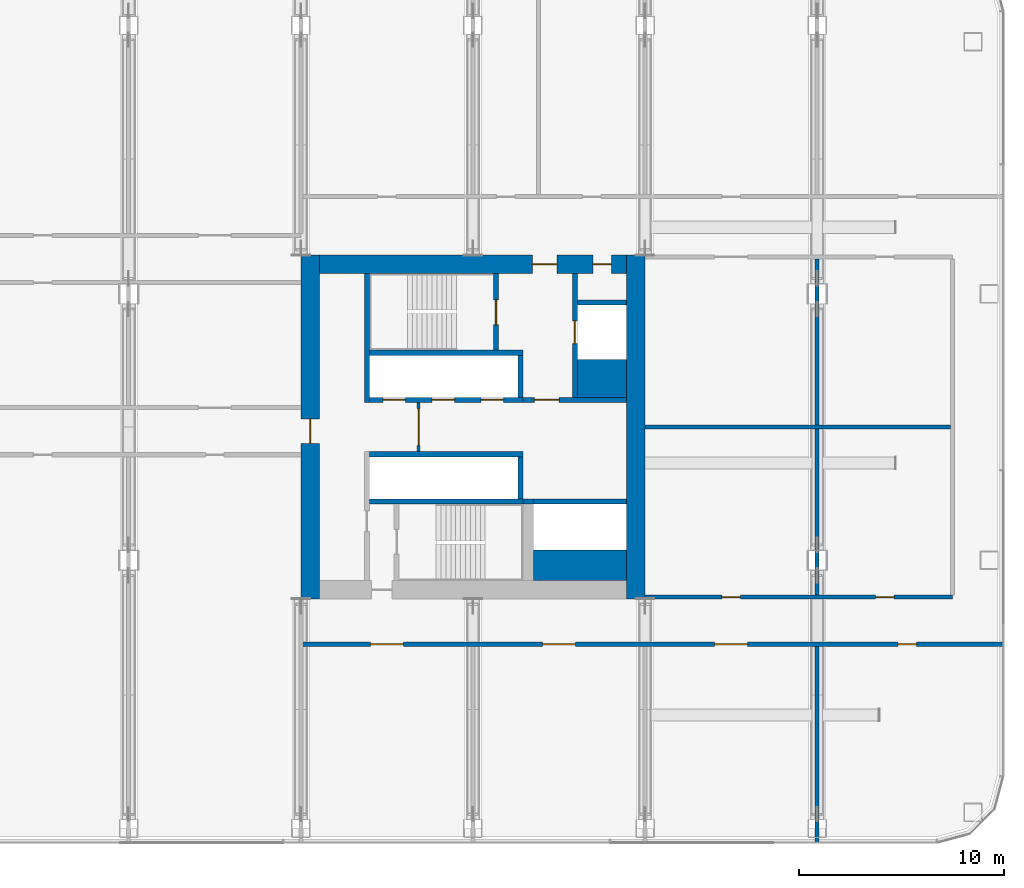
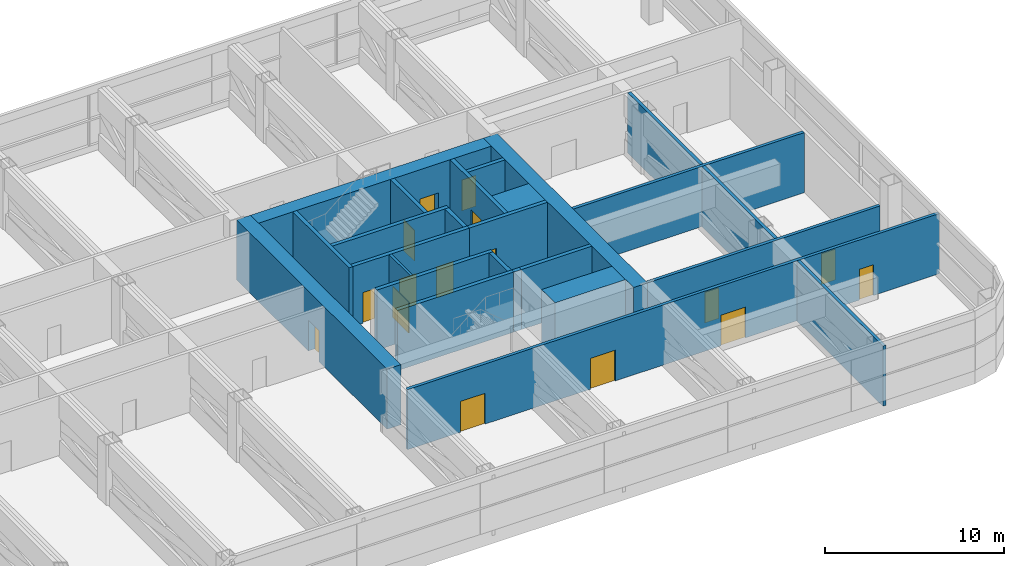
# One storey, part 19 of 30: 24 walls, 16 doors, 16 openings.
"""IFC4 building model written with IfcOpenShell, lengths in metres."""

from ifc_helpers import new_model, si_unit, direction, frame, frame_2d, origin, place, context, subcontext, project, spatial, rectangle, extrude, material, layer, layer_set, type_object, element, fill, save


model = new_model("IFC4")

# Units and contexts
model_context = context("Model", 3, precision=1e-05, world=origin(), true_north=direction((0.0, 1.0)))
body_context = subcontext(model_context, "Body", "Model", "MODEL_VIEW")
ifc_project = project(units=[si_unit("LENGTHUNIT", "METRE"), si_unit("AREAUNIT", "SQUARE_METRE"), si_unit("VOLUMEUNIT", "CUBIC_METRE"), si_unit("PLANEANGLEUNIT", "RADIAN"), si_unit("MASSUNIT", "GRAM", prefix="KILO")], contexts=[model_context])

# Site, building, storey
site_placement = place(None, origin())
site = spatial("IfcSite", under=ifc_project, at=site_placement, CompositionType="ELEMENT")
building_placement = place(site_placement, origin())
building = spatial("IfcBuilding", under=site, at=building_placement, Name="Hakoniwa Tower and Hamabe Station Hall", CompositionType="ELEMENT")
storey_placement = place(building_placement, frame((0.0, 0.0, 64.60009765625)))
storey = spatial("IfcBuildingStorey", under=building, at=storey_placement, Name="L18", CompositionType="ELEMENT", Elevation=64.60009765625)

# Wall, opening, door
ifc_material_1 = material(Name="Gypsum board partition")
ifc_layer_1 = layer(ifc_material_1, 0.14990234375)
ifc_layer_set_1 = layer_set([ifc_layer_1], Name="CORE PARTITION 150 EI 60")
wall_type_1 = type_object("IfcWallType", Name="CORE PARTITION 150 EI 60", PredefinedType="PARTITIONING", material=ifc_layer_set_1)
wall_1_placement = place(storey_placement, frame((22.550048828125, -1.199951171875, 0.0), z_axis=(0.0, 0.0, 1.0), x_axis=(0.0, 1.0, 0.0)))
wall_1 = element("IfcWall", 1, at=wall_1_placement, inside=storey, type_object=wall_type_1, Name="Core partition PL0 east", PredefinedType="PARTITIONING", context=body_context, shape_type="SweptSolid", body=[
    extrude(rectangle(XDim=2.39990234375, YDim=0.14990234375, at=frame_2d((1.199951171875, 0.0))), origin(), (0.0, 0.0, 1.0), 4.099853515625),
])
opening_1_placement = place(wall_1_placement, frame((0.300048828125, 0.0, 0.0)))
opening_1 = element("IfcOpeningElement", 2, at=opening_1_placement, cuts=wall_1, Name="Opening CD-E-LP0-18", PredefinedType="OPENING", context=body_context, shape_type="SweptSolid", body=[
    extrude(rectangle(XDim=1.800048828125, YDim=2.10009765625, at=frame_2d((0.89990234375, 1.050048828125))), frame((0.0, 0.0849609375, 0.0), z_axis=(0.0, -1.0, 0.0), x_axis=(1.0, 0.0, 0.0)), (0.0, 0.0, 1.0), 0.169921875),
])
ifc_material_2 = material(Name="Steel fire door", Category="steel")
door_type_1 = type_object("IfcDoorType", Name="CORE DOOR 1800 FD60", OperationType="DOUBLE_DOOR_SINGLE_SWING", PredefinedType="DOOR", material=ifc_material_2)
door_1_placement = place(opening_1_placement, origin())
door_1 = element("IfcDoor", 3, at=door_1_placement, inside=storey, type_object=door_type_1, Name="Lift lobby partition door", OperationType="DOUBLE_DOOR_SINGLE_SWING", OverallHeight=2.10009765625, OverallWidth=1.800048828125, PredefinedType="DOOR", context=body_context, shape_type="SweptSolid", body=[
    extrude(rectangle(XDim=1.800048828125, YDim=2.10009765625, at=frame_2d((0.89990234375, 1.050048828125))), frame((0.0, 0.02490234375, 0.0), z_axis=(0.0, -1.0, 0.0), x_axis=(1.0, 0.0, 0.0)), (0.0, 0.0, 1.0), 0.050048828125),
])
fill(opening_1, door_1)

ifc_material_3 = material(Name="Concrete C80", Category="concrete")
ifc_layer_2 = layer(ifc_material_3, 0.89990234375)
ifc_layer_set_2 = layer_set([ifc_layer_2], Name="CORE WALL 900 C80")
wall_type_2 = type_object("IfcWallType", Name="CORE WALL 900 C80", PredefinedType="SHEAR", material=ifc_layer_set_2)
wall_2_placement = place(storey_placement, frame((17.25, -8.39990234375, 0.0), z_axis=(0.0, 0.0, 1.0), x_axis=(0.0, 1.0, 0.0)))
wall_2 = element("IfcWall", 4, at=wall_2_placement, inside=storey, type_object=wall_type_2, Name="Core wall INNER east", PredefinedType="SHEAR", context=body_context, shape_type="SweptSolid", body=[
    extrude(rectangle(XDim=16.7998046875, YDim=0.89990234375, at=frame_2d((8.39990234375, 0.0))), origin(), (0.0, 0.0, 1.0), 4.099853515625),
])
opening_2_placement = place(wall_2_placement, frame((7.60009765625, 0.0, 0.0)))
opening_2 = element("IfcOpeningElement", 5, at=opening_2_placement, cuts=wall_2, Name="Opening CD-E-IN1-12", PredefinedType="OPENING", context=body_context, shape_type="SweptSolid", body=[
    extrude(rectangle(XDim=1.199951171875, YDim=2.10009765625, at=frame_2d((0.60009765625, 1.050048828125))), frame((0.0, 0.4599609375, 0.0), z_axis=(0.0, -1.0, 0.0), x_axis=(1.0, 0.0, 0.0)), (0.0, 0.0, 1.0), 0.919921875),
])
ifc_material_4 = material(Name="Steel fire door", Category="steel")
door_type_2 = type_object("IfcDoorType", Name="CORE DOOR 1200 FD60", OperationType="DOUBLE_DOOR_SINGLE_SWING", PredefinedType="DOOR", material=ifc_material_4)
door_2_placement = place(opening_2_placement, origin())
door_2 = element("IfcDoor", 6, at=door_2_placement, inside=storey, type_object=door_type_2, Name="Lift lobby door", OperationType="DOUBLE_DOOR_SINGLE_SWING", OverallHeight=2.10009765625, OverallWidth=1.199951171875, PredefinedType="DOOR", context=body_context, shape_type="SweptSolid", body=[
    extrude(rectangle(XDim=1.199951171875, YDim=2.10009765625, at=frame_2d((0.60009765625, 1.050048828125))), frame((0.0, 0.02490234375, 0.0), z_axis=(0.0, -1.0, 0.0), x_axis=(1.0, 0.0, 0.0)), (0.0, 0.0, 1.0), 0.050048828125),
])
fill(opening_2, door_2)

# Wall
wall_3_placement = place(storey_placement, frame((33.14990234375, -8.39990234375, 0.0), z_axis=(0.0, 0.0, 1.0), x_axis=(0.0, 1.0, 0.0)))
element("IfcWall", 7, at=wall_3_placement, inside=storey, type_object=wall_type_2, Name="Core wall OUTER east", PredefinedType="SHEAR", context=body_context, shape_type="SweptSolid", body=[
    extrude(rectangle(XDim=16.7998046875, YDim=0.89990234375, at=frame_2d((8.39990234375, 0.0))), origin(), (0.0, 0.0, 1.0), 4.099853515625),
])

# Wall, openings, doors
wall_4_placement = place(storey_placement, frame((17.699951171875, 7.949951171875, 0.0), z_axis=(0.0, 0.0, 1.0), x_axis=(1.0, 0.0, 0.0)))
wall_4 = element("IfcWall", 8, at=wall_4_placement, inside=storey, type_object=wall_type_2, Name="Core wall NORTH east", PredefinedType="SHEAR", context=body_context, shape_type="SweptSolid", body=[
    extrude(rectangle(XDim=15.0, YDim=0.89990234375, at=frame_2d((7.5, 0.0))), origin(), (0.0, 0.0, 1.0), 4.099853515625),
])
opening_3_placement = place(wall_4_placement, frame((10.39990234375, 0.0, 0.0)))
opening_3 = element("IfcOpeningElement", 9, at=opening_3_placement, cuts=wall_4, Name="Opening CD-E-FN1-12", PredefinedType="OPENING", context=body_context, shape_type="SweptSolid", body=[
    extrude(rectangle(XDim=1.199951171875, YDim=2.10009765625, at=frame_2d((0.60009765625, 1.050048828125))), frame((0.0, 0.4599609375, 0.0), z_axis=(0.0, -1.0, 0.0), x_axis=(1.0, 0.0, 0.0)), (0.0, 0.0, 1.0), 0.919921875),
])
opening_4_placement = place(wall_4_placement, frame((13.35009765625, 0.0, 0.0)))
opening_4 = element("IfcOpeningElement", 10, at=opening_4_placement, cuts=wall_4, Name="Opening CD-E-FN2-9", PredefinedType="OPENING", context=body_context, shape_type="SweptSolid", body=[
    extrude(rectangle(XDim=0.89990234375, YDim=2.10009765625, at=frame_2d((0.449951171875, 1.050048828125))), frame((0.0, 0.4599609375, 0.0), z_axis=(0.0, -1.0, 0.0), x_axis=(1.0, 0.0, 0.0)), (0.0, 0.0, 1.0), 0.919921875),
])
door_3_placement = place(opening_3_placement, origin())
door_3 = element("IfcDoor", 11, at=door_3_placement, inside=storey, type_object=door_type_2, Name="Stair vestibule door to the fire-fighting lobby", OperationType="DOUBLE_DOOR_SINGLE_SWING", OverallHeight=2.10009765625, OverallWidth=1.199951171875, PredefinedType="DOOR", context=body_context, shape_type="SweptSolid", body=[
    extrude(rectangle(XDim=1.199951171875, YDim=2.10009765625, at=frame_2d((0.60009765625, 1.050048828125))), frame((0.0, 0.02490234375, 0.0), z_axis=(0.0, -1.0, 0.0), x_axis=(1.0, 0.0, 0.0)), (0.0, 0.0, 1.0), 0.050048828125),
])
fill(opening_3, door_3)
ifc_material_5 = material(Name="Steel fire door", Category="steel")
door_type_3 = type_object("IfcDoorType", Name="CORE DOOR 900 FD30", OperationType="NOTDEFINED", PredefinedType="DOOR", material=ifc_material_5)
door_4_placement = place(opening_4_placement, origin())
door_4 = element("IfcDoor", 12, at=door_4_placement, inside=storey, type_object=door_type_3, Name="Riser access door", OperationType="SINGLE_SWING_LEFT", OverallHeight=2.10009765625, OverallWidth=0.89990234375, PredefinedType="DOOR", context=body_context, shape_type="SweptSolid", body=[
    extrude(rectangle(XDim=0.89990234375, YDim=2.10009765625, at=frame_2d((0.449951171875, 1.050048828125))), frame((0.0, 0.02490234375, 0.0), z_axis=(0.0, -1.0, 0.0), x_axis=(1.0, 0.0, 0.0)), (0.0, 0.0, 1.0), 0.050048828125),
])
fill(opening_4, door_4)

# Walls
ifc_material_6 = material(Name="Concrete C80", Category="concrete")
ifc_layer_3 = layer(ifc_material_6, 1.5)
ifc_layer_set_3 = layer_set([ifc_layer_3], Name="CORE WEB WALL 1500 C80")
wall_type_3 = type_object("IfcWallType", Name="CORE WEB WALL 1500 C80", PredefinedType="SHEAR", material=ifc_layer_set_3)
wall_5_placement = place(storey_placement, frame((28.14990234375, -6.75, 0.0), z_axis=(0.0, 0.0, 1.0), x_axis=(1.0, 0.0, 0.0)))
element("IfcWall", 13, at=wall_5_placement, inside=storey, type_object=wall_type_3, Name="Core wall SER east", PredefinedType="SHEAR", context=body_context, shape_type="SweptSolid", body=[
    extrude(rectangle(XDim=4.550048828125, YDim=1.5, at=frame_2d((2.27490234375, 0.0))), origin(), (0.0, 0.0, 1.0), 4.099853515625),
])
ifc_material_7 = material(Name="Concrete C80", Category="concrete")
ifc_layer_4 = layer(ifc_material_7, 1.85009765625)
ifc_layer_set_4 = layer_set([ifc_layer_4], Name="CORE WEB WALL 1850 C80")
wall_type_4 = type_object("IfcWallType", Name="CORE WEB WALL 1850 C80", PredefinedType="SHEAR", material=ifc_layer_set_4)
wall_6_placement = place(storey_placement, frame((30.300048828125, 2.375, 0.0), z_axis=(0.0, 0.0, 1.0), x_axis=(1.0, 0.0, 0.0)))
element("IfcWall", 14, at=wall_6_placement, inside=storey, type_object=wall_type_4, Name="Core wall CA east", PredefinedType="SHEAR", context=body_context, shape_type="SweptSolid", body=[
    extrude(rectangle(XDim=2.39990234375, YDim=1.85009765625, at=frame_2d((1.199951171875, 0.0))), origin(), (0.0, 0.0, 1.0), 4.099853515625),
])
ifc_material_8 = material(Name="Concrete C80", Category="concrete")
ifc_layer_5 = layer(ifc_material_8, 0.25)
ifc_layer_set_5 = layer_set([ifc_layer_5], Name="CORE WEB WALL 250 C80")
wall_type_5 = type_object("IfcWallType", Name="CORE WEB WALL 250 C80", PredefinedType="SHEAR", material=ifc_layer_set_5)
wall_7_placement = place(storey_placement, frame((20.02490234375, 1.199951171875, 0.0), z_axis=(0.0, 0.0, 1.0), x_axis=(0.0, 1.0, 0.0)))
element("IfcWall", 15, at=wall_7_placement, inside=storey, type_object=wall_type_5, Name="Core wall W1N east", PredefinedType="SHEAR", context=body_context, shape_type="SweptSolid", body=[
    extrude(rectangle(XDim=6.300048828125, YDim=0.25, at=frame_2d((3.14990234375, 0.0))), origin(), (0.0, 0.0, 1.0), 4.099853515625),
])

# Wall, openings, doors
wall_8_placement = place(storey_placement, frame((20.14990234375, 1.324951171875, 0.0), z_axis=(0.0, 0.0, 1.0), x_axis=(1.0, 0.0, 0.0)))
wall_8 = element("IfcWall", 16, at=wall_8_placement, inside=storey, type_object=wall_type_5, Name="Core wall NF east", PredefinedType="SHEAR", context=body_context, shape_type="SweptSolid", body=[
    extrude(rectangle(XDim=7.5, YDim=0.25, at=frame_2d((3.75, 0.0))), origin(), (0.0, 0.0, 1.0), 4.099853515625),
])
opening_5_placement = place(wall_8_placement, frame((0.64990234375, 0.0, 0.0)))
opening_5 = element("IfcOpeningElement", 17, at=opening_5_placement, cuts=wall_8, Name="Opening LD-LR4", PredefinedType="OPENING", context=body_context, shape_type="SweptSolid", body=[
    extrude(rectangle(XDim=1.10009765625, YDim=2.10009765625, at=frame_2d((0.550048828125, 1.050048828125))), frame((0.0, 0.135009765625, 0.0), z_axis=(0.0, -1.0, 0.0), x_axis=(1.0, 0.0, 0.0)), (0.0, 0.0, 1.0), 0.27001953125),
])
opening_6_placement = place(wall_8_placement, frame((3.050048828125, 0.0, 0.0)))
opening_6 = element("IfcOpeningElement", 18, at=opening_6_placement, cuts=wall_8, Name="Opening LD-LR5", PredefinedType="OPENING", context=body_context, shape_type="SweptSolid", body=[
    extrude(rectangle(XDim=1.10009765625, YDim=2.10009765625, at=frame_2d((0.550048828125, 1.050048828125))), frame((0.0, 0.135009765625, 0.0), z_axis=(0.0, -1.0, 0.0), x_axis=(1.0, 0.0, 0.0)), (0.0, 0.0, 1.0), 0.27001953125),
])
opening_7_placement = place(wall_8_placement, frame((5.449951171875, 0.0, 0.0)))
opening_7 = element("IfcOpeningElement", 19, at=opening_7_placement, cuts=wall_8, Name="Opening LD-LR6", PredefinedType="OPENING", context=body_context, shape_type="SweptSolid", body=[
    extrude(rectangle(XDim=1.10009765625, YDim=2.10009765625, at=frame_2d((0.550048828125, 1.050048828125))), frame((0.0, 0.135009765625, 0.0), z_axis=(0.0, -1.0, 0.0), x_axis=(1.0, 0.0, 0.0)), (0.0, 0.0, 1.0), 0.27001953125),
])
ifc_material_9 = material(Name="Stainless steel SUS304", Category="steel")
door_type_4 = type_object("IfcDoorType", Name="LIFT LANDING DOOR 1100 FD60", OperationType="DOUBLE_DOOR_SLIDING", PredefinedType="DOOR", material=ifc_material_9)
door_5_placement = place(opening_5_placement, origin())
door_5 = element("IfcDoor", 20, at=door_5_placement, inside=storey, type_object=door_type_4, Name="Lift landing door LR4 L18", OperationType="DOUBLE_DOOR_SLIDING", OverallHeight=2.10009765625, OverallWidth=1.10009765625, PredefinedType="DOOR", context=body_context, shape_type="SweptSolid", body=[
    extrude(rectangle(XDim=1.10009765625, YDim=2.10009765625, at=frame_2d((0.550048828125, 1.050048828125))), frame((0.0, 0.02490234375, 0.0), z_axis=(0.0, -1.0, 0.0), x_axis=(1.0, 0.0, 0.0)), (0.0, 0.0, 1.0), 0.050048828125),
])
fill(opening_5, door_5)
door_6_placement = place(opening_6_placement, origin())
door_6 = element("IfcDoor", 21, at=door_6_placement, inside=storey, type_object=door_type_4, Name="Lift landing door LR5 L18", OperationType="DOUBLE_DOOR_SLIDING", OverallHeight=2.10009765625, OverallWidth=1.10009765625, PredefinedType="DOOR", context=body_context, shape_type="SweptSolid", body=[
    extrude(rectangle(XDim=1.10009765625, YDim=2.10009765625, at=frame_2d((0.550048828125, 1.050048828125))), frame((0.0, 0.02490234375, 0.0), z_axis=(0.0, -1.0, 0.0), x_axis=(1.0, 0.0, 0.0)), (0.0, 0.0, 1.0), 0.050048828125),
])
fill(opening_6, door_6)
door_7_placement = place(opening_7_placement, origin())
door_7 = element("IfcDoor", 22, at=door_7_placement, inside=storey, type_object=door_type_4, Name="Lift landing door LR6 L18", OperationType="DOUBLE_DOOR_SLIDING", OverallHeight=2.10009765625, OverallWidth=1.10009765625, PredefinedType="DOOR", context=body_context, shape_type="SweptSolid", body=[
    extrude(rectangle(XDim=1.10009765625, YDim=2.10009765625, at=frame_2d((0.550048828125, 1.050048828125))), frame((0.0, 0.02490234375, 0.0), z_axis=(0.0, -1.0, 0.0), x_axis=(1.0, 0.0, 0.0)), (0.0, 0.0, 1.0), 0.050048828125),
])
fill(opening_7, door_7)

# Walls
wall_9_placement = place(storey_placement, frame((27.52490234375, 1.449951171875, 0.0), z_axis=(0.0, 0.0, 1.0), x_axis=(0.0, 1.0, 0.0)))
element("IfcWall", 23, at=wall_9_placement, inside=storey, type_object=wall_type_5, Name="Core wall NE east", PredefinedType="SHEAR", context=body_context, shape_type="SweptSolid", body=[
    extrude(rectangle(XDim=2.050048828125, YDim=0.25, at=frame_2d((1.02490234375, 0.0))), origin(), (0.0, 0.0, 1.0), 4.099853515625),
])
wall_10_placement = place(storey_placement, frame((20.14990234375, 3.625, 0.0), z_axis=(0.0, 0.0, 1.0), x_axis=(1.0, 0.0, 0.0)))
element("IfcWall", 24, at=wall_10_placement, inside=storey, type_object=wall_type_5, Name="Core wall NR east", PredefinedType="SHEAR", context=body_context, shape_type="SweptSolid", body=[
    extrude(rectangle(XDim=7.5, YDim=0.25, at=frame_2d((3.75, 0.0))), origin(), (0.0, 0.0, 1.0), 4.099853515625),
])

# Wall, opening, door
wall_11_placement = place(storey_placement, frame((26.324951171875, 3.75, 0.0), z_axis=(0.0, 0.0, 1.0), x_axis=(0.0, 1.0, 0.0)))
wall_11 = element("IfcWall", 25, at=wall_11_placement, inside=storey, type_object=wall_type_5, Name="Core wall NSE east", PredefinedType="SHEAR", context=body_context, shape_type="SweptSolid", body=[
    extrude(rectangle(XDim=3.75, YDim=0.25, at=frame_2d((1.875, 0.0))), origin(), (0.0, 0.0, 1.0), 4.099853515625),
])
opening_8_placement = place(wall_11_placement, frame((1.25, 0.0, 0.0)))
opening_8 = element("IfcOpeningElement", 26, at=opening_8_placement, cuts=wall_11, Name="Opening CD-E-SN-12", PredefinedType="OPENING", context=body_context, shape_type="SweptSolid", body=[
    extrude(rectangle(XDim=1.199951171875, YDim=2.10009765625, at=frame_2d((0.60009765625, 1.050048828125))), frame((0.0, 0.135009765625, 0.0), z_axis=(0.0, -1.0, 0.0), x_axis=(1.0, 0.0, 0.0)), (0.0, 0.0, 1.0), 0.27001953125),
])
door_8_placement = place(opening_8_placement, origin())
door_8 = element("IfcDoor", 27, at=door_8_placement, inside=storey, type_object=door_type_2, Name="Escape stair door", OperationType="DOUBLE_DOOR_SINGLE_SWING", OverallHeight=2.10009765625, OverallWidth=1.199951171875, PredefinedType="DOOR", context=body_context, shape_type="SweptSolid", body=[
    extrude(rectangle(XDim=1.199951171875, YDim=2.10009765625, at=frame_2d((0.60009765625, 1.050048828125))), frame((0.0, 0.02490234375, 0.0), z_axis=(0.0, -1.0, 0.0), x_axis=(1.0, 0.0, 0.0)), (0.0, 0.0, 1.0), 0.050048828125),
])
fill(opening_8, door_8)

wall_12_placement = place(storey_placement, frame((27.64990234375, 1.324951171875, 0.0), z_axis=(0.0, 0.0, 1.0), x_axis=(1.0, 0.0, 0.0)))
wall_12 = element("IfcWall", 28, at=wall_12_placement, inside=storey, type_object=wall_type_5, Name="Core wall ELN east", PredefinedType="SHEAR", context=body_context, shape_type="SweptSolid", body=[
    extrude(rectangle(XDim=5.050048828125, YDim=0.25, at=frame_2d((2.52490234375, 0.0))), origin(), (0.0, 0.0, 1.0), 4.099853515625),
])
opening_9_placement = place(wall_12_placement, frame((0.550048828125, 0.0, 0.0)))
opening_9 = element("IfcOpeningElement", 29, at=opening_9_placement, cuts=wall_12, Name="Opening CD-E-FL-12", PredefinedType="OPENING", context=body_context, shape_type="SweptSolid", body=[
    extrude(rectangle(XDim=1.199951171875, YDim=2.10009765625, at=frame_2d((0.60009765625, 1.050048828125))), frame((0.0, 0.135009765625, 0.0), z_axis=(0.0, -1.0, 0.0), x_axis=(1.0, 0.0, 0.0)), (0.0, 0.0, 1.0), 0.27001953125),
])
door_9_placement = place(opening_9_placement, origin())
door_9 = element("IfcDoor", 30, at=door_9_placement, inside=storey, type_object=door_type_2, Name="Stair vestibule door to the fire-fighting lobby", OperationType="DOUBLE_DOOR_SINGLE_SWING", OverallHeight=2.10009765625, OverallWidth=1.199951171875, PredefinedType="DOOR", context=body_context, shape_type="SweptSolid", body=[
    extrude(rectangle(XDim=1.199951171875, YDim=2.10009765625, at=frame_2d((0.60009765625, 1.050048828125))), frame((0.0, 0.02490234375, 0.0), z_axis=(0.0, -1.0, 0.0), x_axis=(1.0, 0.0, 0.0)), (0.0, 0.0, 1.0), 0.050048828125),
])
fill(opening_9, door_9)

wall_13_placement = place(storey_placement, frame((30.175048828125, 1.449951171875, 0.0), z_axis=(0.0, 0.0, 1.0), x_axis=(0.0, 1.0, 0.0)))
wall_13 = element("IfcWall", 31, at=wall_13_placement, inside=storey, type_object=wall_type_5, Name="Core wall FFF east", PredefinedType="SHEAR", context=body_context, shape_type="SweptSolid", body=[
    extrude(rectangle(XDim=6.050048828125, YDim=0.25, at=frame_2d((3.02490234375, 0.0))), origin(), (0.0, 0.0, 1.0), 4.099853515625),
])
opening_10_placement = place(wall_13_placement, frame((2.625, 0.0, 0.0)))
opening_10 = element("IfcOpeningElement", 32, at=opening_10_placement, cuts=wall_13, Name="Opening LD-FF2", PredefinedType="OPENING", context=body_context, shape_type="SweptSolid", body=[
    extrude(rectangle(XDim=1.10009765625, YDim=2.10009765625, at=frame_2d((0.550048828125, 1.050048828125))), frame((0.0, 0.135009765625, 0.0), z_axis=(0.0, -1.0, 0.0), x_axis=(1.0, 0.0, 0.0)), (0.0, 0.0, 1.0), 0.27001953125),
])
door_10_placement = place(opening_10_placement, origin())
door_10 = element("IfcDoor", 33, at=door_10_placement, inside=storey, type_object=door_type_4, Name="Lift landing door FF2 L18", OperationType="DOUBLE_DOOR_SLIDING", OverallHeight=2.10009765625, OverallWidth=1.10009765625, PredefinedType="DOOR", context=body_context, shape_type="SweptSolid", body=[
    extrude(rectangle(XDim=1.10009765625, YDim=2.10009765625, at=frame_2d((0.550048828125, 1.050048828125))), frame((0.0, 0.02490234375, 0.0), z_axis=(0.0, -1.0, 0.0), x_axis=(1.0, 0.0, 0.0)), (0.0, 0.0, 1.0), 0.050048828125),
])
fill(opening_10, door_10)

# Walls
wall_14_placement = place(storey_placement, frame((30.300048828125, 6.074951171875, 0.0), z_axis=(0.0, 0.0, 1.0), x_axis=(1.0, 0.0, 0.0)))
element("IfcWall", 34, at=wall_14_placement, inside=storey, type_object=wall_type_5, Name="Core wall C2 east", PredefinedType="SHEAR", context=body_context, shape_type="SweptSolid", body=[
    extrude(rectangle(XDim=2.39990234375, YDim=0.25, at=frame_2d((1.199951171875, 0.0))), origin(), (0.0, 0.0, 1.0), 4.099853515625),
])
wall_15_placement = place(storey_placement, frame((20.14990234375, -1.324951171875, 0.0), z_axis=(0.0, 0.0, 1.0), x_axis=(1.0, 0.0, 0.0)))
element("IfcWall", 35, at=wall_15_placement, inside=storey, type_object=wall_type_5, Name="Core wall SF east", PredefinedType="SHEAR", context=body_context, shape_type="SweptSolid", body=[
    extrude(rectangle(XDim=7.5, YDim=0.25, at=frame_2d((3.75, 0.0))), origin(), (0.0, 0.0, 1.0), 4.099853515625),
])
wall_16_placement = place(storey_placement, frame((27.52490234375, -3.5, 0.0), z_axis=(0.0, 0.0, 1.0), x_axis=(0.0, 1.0, 0.0)))
element("IfcWall", 36, at=wall_16_placement, inside=storey, type_object=wall_type_5, Name="Core wall SE east", PredefinedType="SHEAR", context=body_context, shape_type="SweptSolid", body=[
    extrude(rectangle(XDim=2.050048828125, YDim=0.25, at=frame_2d((1.02490234375, 0.0))), origin(), (0.0, 0.0, 1.0), 4.099853515625),
])
wall_17_placement = place(storey_placement, frame((20.14990234375, -3.625, 0.0), z_axis=(0.0, 0.0, 1.0), x_axis=(1.0, 0.0, 0.0)))
element("IfcWall", 37, at=wall_17_placement, inside=storey, type_object=wall_type_5, Name="Core wall SR east", PredefinedType="SHEAR", context=body_context, shape_type="SweptSolid", body=[
    extrude(rectangle(XDim=7.5, YDim=0.25, at=frame_2d((3.75, 0.0))), origin(), (0.0, 0.0, 1.0), 4.099853515625),
])
wall_18_placement = place(storey_placement, frame((28.14990234375, -3.625, 0.0), z_axis=(0.0, 0.0, 1.0), x_axis=(1.0, 0.0, 0.0)))
element("IfcWall", 38, at=wall_18_placement, inside=storey, type_object=wall_type_5, Name="Core wall SEF east", PredefinedType="SHEAR", context=body_context, shape_type="SweptSolid", body=[
    extrude(rectangle(XDim=4.550048828125, YDim=0.25, at=frame_2d((2.27490234375, 0.0))), origin(), (0.0, 0.0, 1.0), 4.099853515625),
])
wall_19_placement = place(storey_placement, frame((27.64990234375, -3.625, 0.0), z_axis=(0.0, 0.0, 1.0), x_axis=(1.0, 0.0, 0.0)))
element("IfcWall", 39, at=wall_19_placement, inside=storey, type_object=wall_type_5, Name="Core wall SRK east", PredefinedType="SHEAR", context=body_context, shape_type="SweptSolid", body=[
    extrude(rectangle(XDim=0.5, YDim=0.25, at=frame_2d((0.25, 0.0))), origin(), (0.0, 0.0, 1.0), 4.099853515625),
])

# Wall, openings, doors
ifc_material_10 = material(Name="Fire-rated gypsum board partition", Category="gypsum")
ifc_layer_6 = layer(ifc_material_10, 0.199951171875)
ifc_layer_set_6 = layer_set([ifc_layer_6], Name="Corridor Wall 200")
wall_type_6 = type_object("IfcWallType", Name="Corridor Wall 200", PredefinedType="PARTITIONING", material=ifc_layer_set_6)
wall_20_placement = place(storey_placement, frame((16.800048828125, -10.60009765625, 0.0), z_axis=(0.0, 0.0, 1.0), x_axis=(1.0, 0.0, 0.0)))
wall_20 = element("IfcWall", 40, at=wall_20_placement, inside=storey, type_object=wall_type_6, Name="GW-L18-002", PredefinedType="PARTITIONING", context=body_context, shape_type="SweptSolid", body=[
    extrude(rectangle(XDim=34.300048828125, YDim=0.199951171875, at=frame_2d((17.14990234375, 0.0))), origin(), (0.0, 0.0, 1.0), 4.099853515625),
])
opening_11_placement = place(wall_20_placement, frame((3.39990234375, 0.0, 0.0)))
opening_11 = element("IfcOpeningElement", 41, at=opening_11_placement, cuts=wall_20, Name="Opening GD-SL18-05", PredefinedType="OPENING", context=body_context, shape_type="SweptSolid", body=[
    extrude(rectangle(XDim=1.60009765625, YDim=2.10009765625, at=frame_2d((0.800048828125, 1.050048828125))), frame((0.0, 0.10986328125, 0.0), z_axis=(0.0, -1.0, 0.0), x_axis=(1.0, 0.0, 0.0)), (0.0, 0.0, 1.0), 0.219970703125),
])
opening_12_placement = place(wall_20_placement, frame((11.800048828125, 0.0, 0.0)))
opening_12 = element("IfcOpeningElement", 42, at=opening_12_placement, cuts=wall_20, Name="Opening GD-SL18-06", PredefinedType="OPENING", context=body_context, shape_type="SweptSolid", body=[
    extrude(rectangle(XDim=1.60009765625, YDim=2.10009765625, at=frame_2d((0.800048828125, 1.050048828125))), frame((0.0, 0.10986328125, 0.0), z_axis=(0.0, -1.0, 0.0), x_axis=(1.0, 0.0, 0.0)), (0.0, 0.0, 1.0), 0.219970703125),
])
opening_13_placement = place(wall_20_placement, frame((20.199951171875, 0.0, 0.0)))
opening_13 = element("IfcOpeningElement", 43, at=opening_13_placement, cuts=wall_20, Name="Opening GD-SL18-07", PredefinedType="OPENING", context=body_context, shape_type="SweptSolid", body=[
    extrude(rectangle(XDim=1.60009765625, YDim=2.10009765625, at=frame_2d((0.800048828125, 1.050048828125))), frame((0.0, 0.10986328125, 0.0), z_axis=(0.0, -1.0, 0.0), x_axis=(1.0, 0.0, 0.0)), (0.0, 0.0, 1.0), 0.219970703125),
])
opening_14_placement = place(wall_20_placement, frame((29.14990234375, 0.0, 0.0)))
opening_14 = element("IfcOpeningElement", 44, at=opening_14_placement, cuts=wall_20, Name="Opening GD-SL18-08", PredefinedType="OPENING", context=body_context, shape_type="SweptSolid", body=[
    extrude(rectangle(XDim=0.89990234375, YDim=2.10009765625, at=frame_2d((0.449951171875, 1.050048828125))), frame((0.0, 0.10986328125, 0.0), z_axis=(0.0, -1.0, 0.0), x_axis=(1.0, 0.0, 0.0)), (0.0, 0.0, 1.0), 0.219970703125),
])
ifc_material_11 = material(Name="Timber door leaf", Category="wood")
door_type_5 = type_object("IfcDoorType", Name="Double Door 1600", OperationType="DOUBLE_DOOR_SINGLE_SWING", PredefinedType="DOOR", material=ifc_material_11)
door_11_placement = place(opening_11_placement, origin())
door_11 = element("IfcDoor", 45, at=door_11_placement, inside=storey, type_object=door_type_5, Name="Door GD-SL18-05", OperationType="DOUBLE_DOOR_SINGLE_SWING", OverallHeight=2.10009765625, OverallWidth=1.60009765625, PredefinedType="DOOR", context=body_context, shape_type="SweptSolid", body=[
    extrude(rectangle(XDim=1.60009765625, YDim=2.10009765625, at=frame_2d((0.800048828125, 1.050048828125))), frame((0.0, 0.02490234375, 0.0), z_axis=(0.0, -1.0, 0.0), x_axis=(1.0, 0.0, 0.0)), (0.0, 0.0, 1.0), 0.050048828125),
])
fill(opening_11, door_11)
door_12_placement = place(opening_12_placement, origin())
door_12 = element("IfcDoor", 46, at=door_12_placement, inside=storey, type_object=door_type_5, Name="Door GD-SL18-06", OperationType="DOUBLE_DOOR_SINGLE_SWING", OverallHeight=2.10009765625, OverallWidth=1.60009765625, PredefinedType="DOOR", context=body_context, shape_type="SweptSolid", body=[
    extrude(rectangle(XDim=1.60009765625, YDim=2.10009765625, at=frame_2d((0.800048828125, 1.050048828125))), frame((0.0, 0.02490234375, 0.0), z_axis=(0.0, -1.0, 0.0), x_axis=(1.0, 0.0, 0.0)), (0.0, 0.0, 1.0), 0.050048828125),
])
fill(opening_12, door_12)
door_13_placement = place(opening_13_placement, origin())
door_13 = element("IfcDoor", 47, at=door_13_placement, inside=storey, type_object=door_type_5, Name="Door GD-SL18-07", OperationType="DOUBLE_DOOR_SINGLE_SWING", OverallHeight=2.10009765625, OverallWidth=1.60009765625, PredefinedType="DOOR", context=body_context, shape_type="SweptSolid", body=[
    extrude(rectangle(XDim=1.60009765625, YDim=2.10009765625, at=frame_2d((0.800048828125, 1.050048828125))), frame((0.0, 0.02490234375, 0.0), z_axis=(0.0, -1.0, 0.0), x_axis=(1.0, 0.0, 0.0)), (0.0, 0.0, 1.0), 0.050048828125),
])
fill(opening_13, door_13)
ifc_material_12 = material(Name="Timber door leaf", Category="wood")
door_type_6 = type_object("IfcDoorType", Name="Service Door 900", OperationType="SINGLE_SWING_LEFT", PredefinedType="DOOR", material=ifc_material_12)
door_14_placement = place(opening_14_placement, origin())
door_14 = element("IfcDoor", 48, at=door_14_placement, inside=storey, type_object=door_type_6, Name="Door GD-SL18-08", OperationType="SINGLE_SWING_RIGHT", OverallHeight=2.10009765625, OverallWidth=0.89990234375, PredefinedType="DOOR", context=body_context, shape_type="SweptSolid", body=[
    extrude(rectangle(XDim=0.89990234375, YDim=2.10009765625, at=frame_2d((0.449951171875, 1.050048828125))), frame((0.0, 0.02490234375, 0.0), z_axis=(0.0, -1.0, 0.0), x_axis=(1.0, 0.0, 0.0)), (0.0, 0.0, 1.0), 0.050048828125),
])
fill(opening_14, door_14)

wall_21_placement = place(storey_placement, frame((33.60009765625, -8.300048828125, 0.0), z_axis=(0.0, 0.0, 1.0), x_axis=(1.0, 0.0, 0.0)))
wall_21 = element("IfcWall", 49, at=wall_21_placement, inside=storey, type_object=wall_type_6, Name="GW-L18-004", PredefinedType="PARTITIONING", context=body_context, shape_type="SweptSolid", body=[
    extrude(rectangle(XDim=15.0, YDim=0.199951171875, at=frame_2d((7.5, 0.0))), origin(), (0.0, 0.0, 1.0), 4.099853515625),
])
opening_15_placement = place(wall_21_placement, frame((3.75, 0.0, 0.0)))
opening_15 = element("IfcOpeningElement", 50, at=opening_15_placement, cuts=wall_21, Name="Opening GD-SL18-11", PredefinedType="OPENING", context=body_context, shape_type="SweptSolid", body=[
    extrude(rectangle(XDim=0.89990234375, YDim=2.10009765625, at=frame_2d((0.449951171875, 1.050048828125))), frame((0.0, 0.10986328125, 0.0), z_axis=(0.0, -1.0, 0.0), x_axis=(1.0, 0.0, 0.0)), (0.0, 0.0, 1.0), 0.219970703125),
])
opening_16_placement = place(wall_21_placement, frame((11.25, 0.0, 0.0)))
opening_16 = element("IfcOpeningElement", 51, at=opening_16_placement, cuts=wall_21, Name="Opening GD-SL18-12", PredefinedType="OPENING", context=body_context, shape_type="SweptSolid", body=[
    extrude(rectangle(XDim=0.89990234375, YDim=2.10009765625, at=frame_2d((0.449951171875, 1.050048828125))), frame((0.0, 0.10986328125, 0.0), z_axis=(0.0, -1.0, 0.0), x_axis=(1.0, 0.0, 0.0)), (0.0, 0.0, 1.0), 0.219970703125),
])
door_15_placement = place(opening_15_placement, origin())
door_15 = element("IfcDoor", 52, at=door_15_placement, inside=storey, type_object=door_type_6, Name="Door GD-SL18-11", OperationType="SINGLE_SWING_LEFT", OverallHeight=2.10009765625, OverallWidth=0.89990234375, PredefinedType="DOOR", context=body_context, shape_type="SweptSolid", body=[
    extrude(rectangle(XDim=0.89990234375, YDim=2.10009765625, at=frame_2d((0.449951171875, 1.050048828125))), frame((0.0, 0.02490234375, 0.0), z_axis=(0.0, -1.0, 0.0), x_axis=(1.0, 0.0, 0.0)), (0.0, 0.0, 1.0), 0.050048828125),
])
fill(opening_15, door_15)
door_16_placement = place(opening_16_placement, origin())
door_16 = element("IfcDoor", 53, at=door_16_placement, inside=storey, type_object=door_type_6, Name="Door GD-SL18-12", OperationType="SINGLE_SWING_RIGHT", OverallHeight=2.10009765625, OverallWidth=0.89990234375, PredefinedType="DOOR", context=body_context, shape_type="SweptSolid", body=[
    extrude(rectangle(XDim=0.89990234375, YDim=2.10009765625, at=frame_2d((0.449951171875, 1.050048828125))), frame((0.0, 0.02490234375, 0.0), z_axis=(0.0, -1.0, 0.0), x_axis=(1.0, 0.0, 0.0)), (0.0, 0.0, 1.0), 0.050048828125),
])
fill(opening_16, door_16)

# Walls
ifc_material_13 = material(Name="Fire-rated gypsum board partition", Category="gypsum")
ifc_layer_7 = layer(ifc_material_13, 0.199951171875)
ifc_layer_set_7 = layer_set([ifc_layer_7], Name="Party Wall 200")
wall_type_7 = type_object("IfcWallType", Name="Party Wall 200", PredefinedType="PARTITIONING", material=ifc_layer_set_7)
wall_22_placement = place(storey_placement, frame((33.60009765625, 0.0, 0.0), z_axis=(0.0, 0.0, 1.0), x_axis=(1.0, 0.0, 0.0)))
element("IfcWall", 54, at=wall_22_placement, inside=storey, type_object=wall_type_7, Name="GW-L18-007", PredefinedType="PARTITIONING", context=body_context, shape_type="SweptSolid", body=[
    extrude(rectangle(XDim=14.89990234375, YDim=0.199951171875, at=frame_2d((7.449951171875, 0.0))), origin(), (0.0, 0.0, 1.0), 4.099853515625),
])
wall_23_placement = place(storey_placement, frame((42.0, -20.300048828125, 0.0), z_axis=(0.0, 0.0, 1.0), x_axis=(0.0, 1.0, 0.0)))
element("IfcWall", 55, at=wall_23_placement, inside=storey, type_object=wall_type_7, Name="GW-L18-041", PredefinedType="PARTITIONING", context=body_context, shape_type="SweptSolid", body=[
    extrude(rectangle(XDim=9.60009765625, YDim=0.199951171875, at=frame_2d((4.800048828125, 0.0))), origin(), (0.0, 0.0, 1.0), 4.099853515625),
])
wall_24_placement = place(storey_placement, frame((42.0, -8.199951171875, 0.0), z_axis=(0.0, 0.0, 1.0), x_axis=(0.0, 1.0, 0.0)))
element("IfcWall", 56, at=wall_24_placement, inside=storey, type_object=wall_type_7, Name="GW-L18-042", PredefinedType="PARTITIONING", context=body_context, shape_type="SweptSolid", body=[
    extrude(rectangle(XDim=16.39990234375, YDim=0.199951171875, at=frame_2d((8.199951171875, 0.0))), origin(), (0.0, 0.0, 1.0), 4.099853515625),
])

save(model, "model.ifc")
